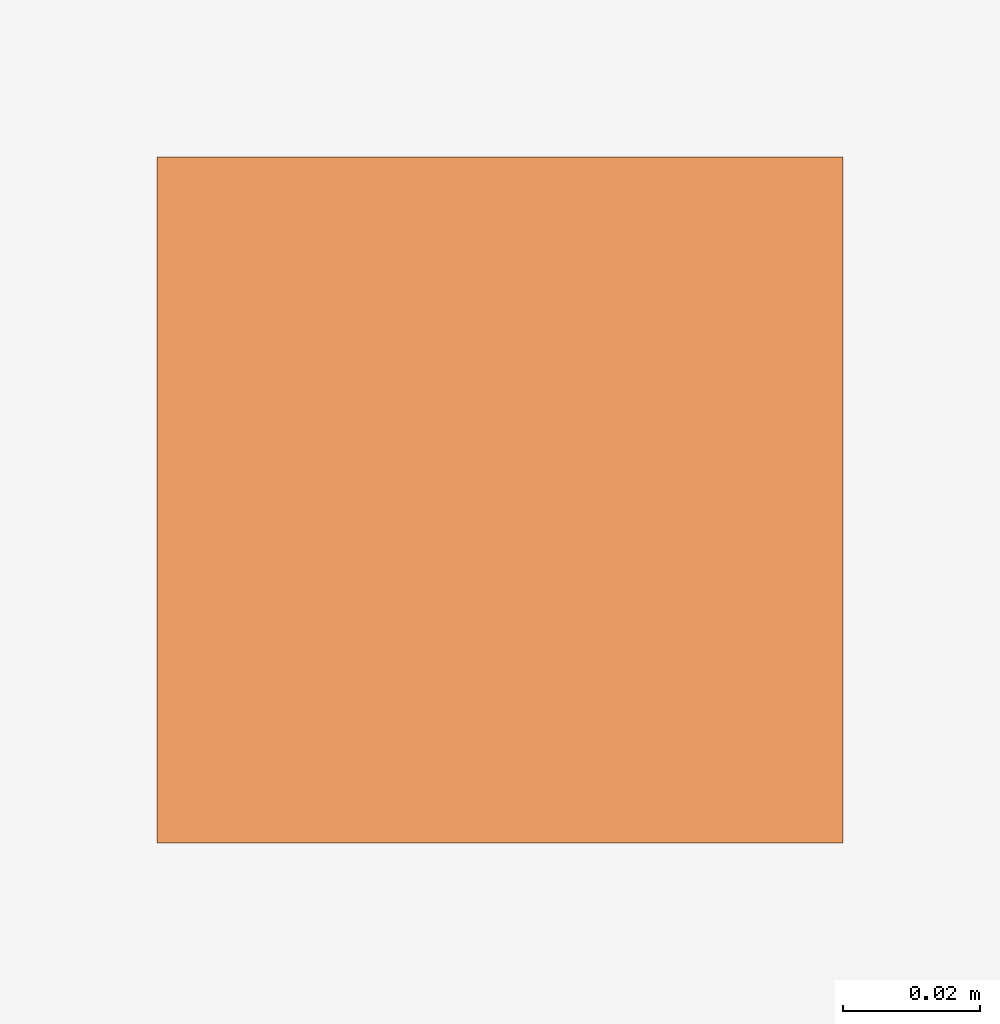
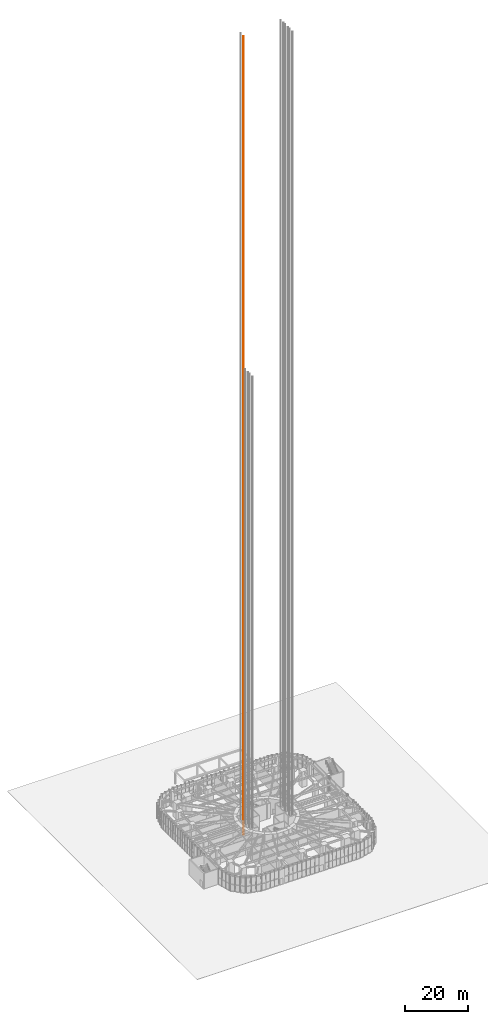
# One storey, part 36 of 43: 1 proxy.
"""IFC4 building model written with IfcOpenShell, lengths in metres."""

from ifc_helpers import new_model, si_unit, direction, frame, origin, origin_2d, place, context, subcontext, project, spatial, rectangle, extrude, material, type_object, element, save


model = new_model("IFC4")

# Units and contexts
model_context = context("Model", 3, precision=1e-05, world=origin(), true_north=direction((0.0, 1.0)))
body_context = subcontext(model_context, "Body", "Model", "MODEL_VIEW")
ifc_project = project(units=[si_unit("LENGTHUNIT", "METRE"), si_unit("AREAUNIT", "SQUARE_METRE"), si_unit("VOLUMEUNIT", "CUBIC_METRE"), si_unit("PLANEANGLEUNIT", "RADIAN"), si_unit("MASSUNIT", "GRAM", prefix="KILO")], contexts=[model_context])

# Site, building, storey
site_placement = place(None, origin())
site = spatial("IfcSite", under=ifc_project, at=site_placement, CompositionType="ELEMENT")
building_placement = place(site_placement, origin())
building = spatial("IfcBuilding", under=site, at=building_placement, Name="Nakasero Lantern House", CompositionType="ELEMENT")
storey_placement = place(building_placement, origin())
storey = spatial("IfcBuildingStorey", under=building, at=storey_placement, Name="L00", CompositionType="ELEMENT", Elevation=0.0)

# Proxy
ifc_material = material(Name="Steel S355", Category="steel")
building_element_proxy_type = type_object("IfcBuildingElementProxyType", Name="Lift guide rail", PredefinedType="ELEMENT", material=ifc_material)
proxy_placement = place(storey_placement, frame((-7.300048828125, 1.89990234375, 0.0), z_axis=(0.0, 0.0, 1.0), x_axis=(1.0, 0.0, 0.0)))
element("IfcBuildingElementProxy", 1, at=proxy_placement, inside=storey, type_object=building_element_proxy_type, Name="Guide rail FLW3 1", PredefinedType="ELEMENT", context=body_context, shape_type="SweptSolid", body=[
    extrude(rectangle(XDim=0.10009765625, YDim=0.10009765625, at=origin_2d()), origin(), (0.0, 0.0, 1.0), 308.0),
])

save(model, "model.ifc")
